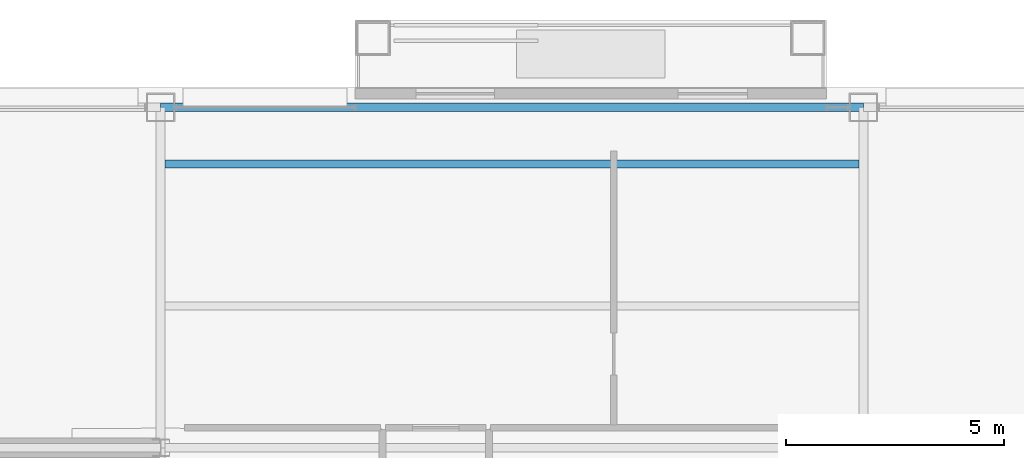
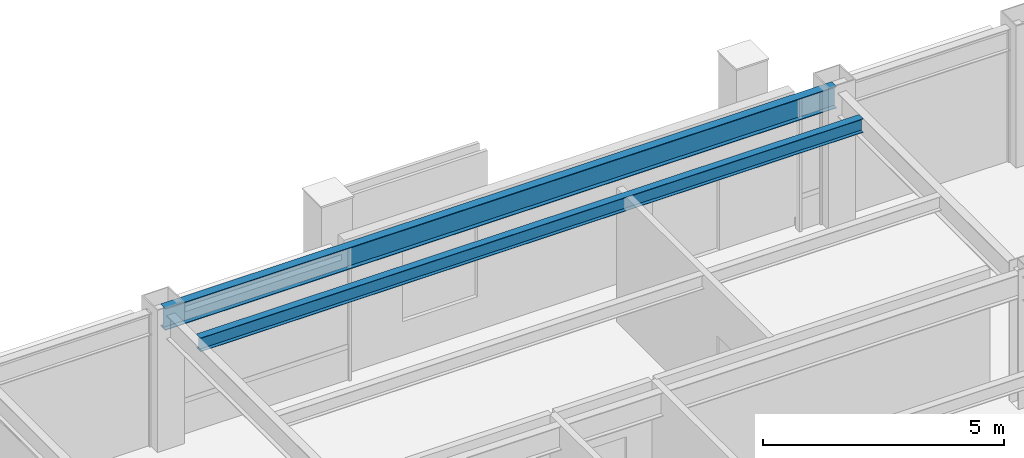
# One storey, part 15 of 24: 2 beams.
"""IFC4 building model written with IfcOpenShell, lengths in metres."""

from ifc_helpers import new_model, si_unit, direction, frame, origin, origin_2d, place, context, subcontext, project, spatial, i_section, extrude, material, material_profile, profile_set, type_object, element, save


model = new_model("IFC4")

# Units and contexts
model_context = context("Model", 3, precision=1e-05, world=origin(), true_north=direction((0.0, 1.0)))
body_context = subcontext(model_context, "Body", "Model", "MODEL_VIEW")
ifc_project = project(units=[si_unit("LENGTHUNIT", "METRE"), si_unit("AREAUNIT", "SQUARE_METRE"), si_unit("VOLUMEUNIT", "CUBIC_METRE"), si_unit("PLANEANGLEUNIT", "RADIAN"), si_unit("MASSUNIT", "GRAM", prefix="KILO")], contexts=[model_context])

# Site, building, storey
site_placement = place(None, origin())
site = spatial("IfcSite", under=ifc_project, at=site_placement, CompositionType="ELEMENT")
building_placement = place(site_placement, origin())
building = spatial("IfcBuilding", under=site, at=building_placement, Name="Brelmoor Portico Tower", CompositionType="ELEMENT")
storey_placement = place(building_placement, frame((0.0, 0.0, 232.800048828125)))
storey = spatial("IfcBuildingStorey", under=building, at=storey_placement, Name="L61", CompositionType="ELEMENT", Elevation=232.800048828125)

# Beams
ifc_material = material(Name="Steel Q355B", Category="steel")
ifc_material_profile_1 = material_profile(ifc_material, i_section(OverallWidth=0.175048828125, OverallDepth=0.35009765625, WebThickness=0.007080078125, FlangeThickness=0.010986328125, at=origin_2d()), Name="HN 350x175x7x11")
ifc_profile_set_1 = profile_set([ifc_material_profile_1], Name="Steel Q355B")
beam_type_1 = type_object("IfcBeamType", Name="BM-JS-350", PredefinedType="JOIST", material=ifc_profile_set_1)
beam_1_placement = place(storey_placement, frame((-7.949951171875, 16.25, 3.224853515625), z_axis=(1.0, 0.0, 0.0), x_axis=(0.0, 1.0, 0.0)))
element("IfcBeam", 1, at=beam_1_placement, inside=storey, type_object=beam_type_1, Name="L61 Secondary Composite Joist JS-C06", PredefinedType="JOIST", context=body_context, shape_type="SweptSolid", body=[
    extrude(i_section(OverallWidth=0.175048828125, OverallDepth=0.35009765625, WebThickness=0.007080078125, FlangeThickness=0.010986328125, at=origin_2d()), origin(), (0.0, 0.0, 1.0), 15.89990234375),
])
ifc_material_profile_2 = material_profile(ifc_material, i_section(OverallWidth=0.199951171875, OverallDepth=0.550048828125, WebThickness=0.010009765625, FlangeThickness=0.01611328125, at=origin_2d()), Name="HN 550x200x10x16")
ifc_profile_set_2 = profile_set([ifc_material_profile_2], Name="Steel Q355B")
beam_type_2 = type_object("IfcBeamType", Name="BM-SP-550", PredefinedType="SPANDREL", material=ifc_profile_set_2)
beam_2_placement = place(storey_placement, frame((-8.050048828125, 17.550048828125, 3.125), z_axis=(1.0, 0.0, 0.0), x_axis=(0.0, 1.0, 0.0)))
element("IfcBeam", 2, at=beam_2_placement, inside=storey, type_object=beam_type_2, Name="L61 Perimeter Spandrel Beam SP-09", PredefinedType="SPANDREL", context=body_context, shape_type="SweptSolid", body=[
    extrude(i_section(OverallWidth=0.199951171875, OverallDepth=0.550048828125, WebThickness=0.010009765625, FlangeThickness=0.01611328125, at=origin_2d()), origin(), (0.0, 0.0, 1.0), 16.10009765625),
])

save(model, "model.ifc")
